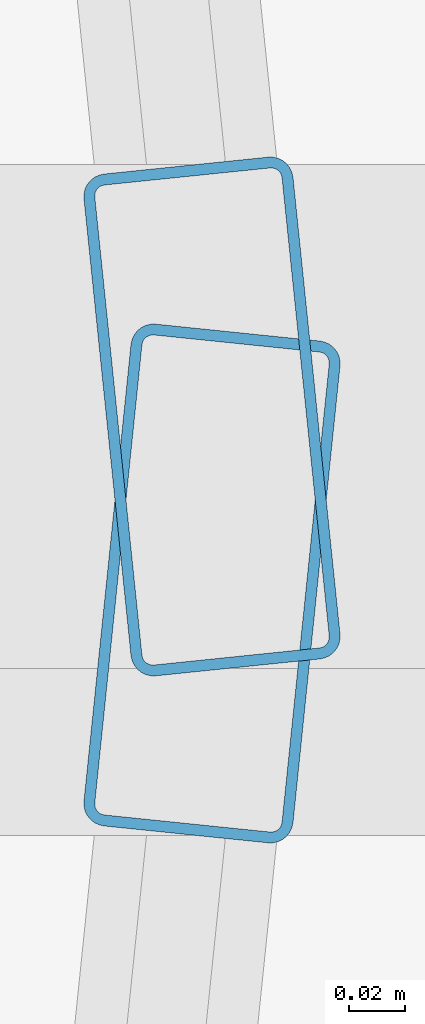
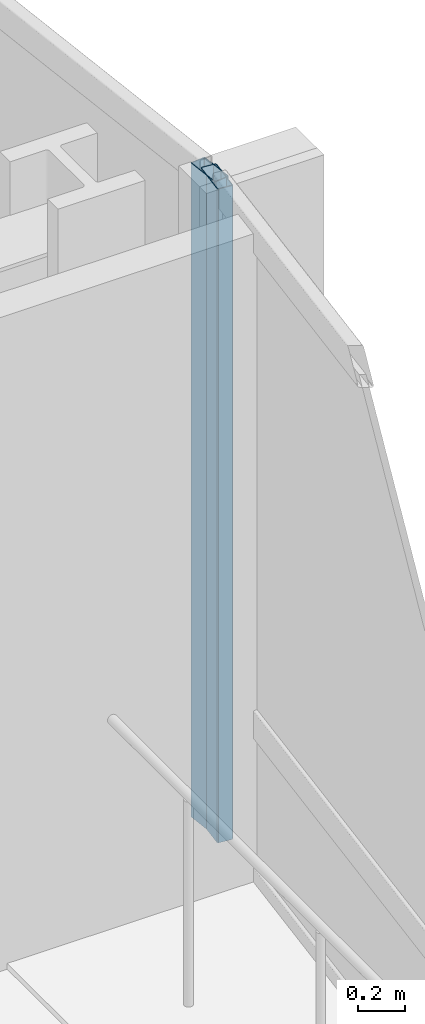
# One storey, part 25 of 34: 2 members, 2 elements without a shape of their own.
"""IFC4 building model written with IfcOpenShell, lengths in metres."""

import ifcopenshell
import ifcopenshell.guid

model = None  # the IFC model being written
_history = None  # IfcOwnerHistory: only IFC2X3 demands one
_inside = {}  # id of a spatial element -> (the spatial element, [elements in it])
_under = {}  # id of a project, library or spatial element -> (it, [spatial elements below it])
_declared = {}  # id of a project -> (the project, [libraries it declares])
_typed = {}  # id of a type object -> (the type object, [elements of that type])
_made_of = {}  # id of a material, layer set ... -> (it, [elements and type objects made of it])


def new_model(schema):
    """Start an empty IFC model of exactly this schema.

    Asked for "IFC4X3", IfcOpenShell would pick the latest addendum, in which some entities
    have other attributes; the version numbers below select the first issue.
    IFC2X3 requires an IfcOwnerHistory on every rooted entity: one is made here for all.
    """
    global model, _history
    if schema == "IFC4X3":
        model = ifcopenshell.file(schema_version=(4, 3, 0, 0))
    else:
        model = ifcopenshell.file(schema=schema)
    _inside.clear()
    _under.clear()
    _declared.clear()
    _typed.clear()
    _made_of.clear()
    _history = None
    if model.schema == "IFC2X3":
        org = make("IfcOrganization", Name="unknown")
        user = make(
            "IfcPersonAndOrganization",
            ThePerson=make("IfcPerson", FamilyName="unknown"),
            TheOrganization=org,
        )
        app = make(
            "IfcApplication",
            ApplicationDeveloper=org,
            Version="unknown",
            ApplicationFullName="unknown",
            ApplicationIdentifier="unknown",
        )
        _history = make(
            "IfcOwnerHistory",
            OwningUser=user,
            OwningApplication=app,
            ChangeAction="ADDED",
            CreationDate=0,
        )
    return model


def make(cls, **values):
    """One entity of the class cls with the attributes given. An attribute that is None is left unset."""
    return model.create_entity(
        cls, **{name: value for name, value in values.items() if value is not None}
    )


def rooted(cls, **values):
    """An entity with a GlobalId (a new one), such as an element, a storey or a relation."""
    return make(cls, GlobalId=ifcopenshell.guid.new(), OwnerHistory=_history, **values)


def si_unit(unit_type, name, prefix=None):
    """IfcSIUnit, for example si_unit("LENGTHUNIT", "METRE", prefix="MILLI")."""
    return make("IfcSIUnit", UnitType=unit_type, Prefix=prefix, Name=name)


def assignment(units):
    """IfcUnitAssignment: the units of a project."""
    return None if units is None else make("IfcUnitAssignment", Units=units)


def point(xyz):
    """IfcCartesianPoint."""
    return None if xyz is None else make("IfcCartesianPoint", Coordinates=xyz)


def direction(xyz):
    """IfcDirection."""
    return None if xyz is None else make("IfcDirection", DirectionRatios=xyz)


def frame(location, z_axis=None, x_axis=None):
    """IfcAxis2Placement3D, a coordinate frame: its origin and axes. An axis left out is left unset."""
    return make(
        "IfcAxis2Placement3D",
        Location=point(location),
        Axis=direction(z_axis),
        RefDirection=direction(x_axis),
    )


def frame_2d(location, x_axis=None):
    """IfcAxis2Placement2D, a coordinate frame in the plane: its origin and x axis."""
    return make(
        "IfcAxis2Placement2D", Location=point(location), RefDirection=direction(x_axis)
    )


def origin():
    """The frame at (0, 0, 0) with its axes left unset."""
    return frame((0.0, 0.0, 0.0))


def origin_2d():
    """The frame at (0, 0) in the plane with its x axis left unset."""
    return frame_2d((0.0, 0.0))


def place(relative_to, where):
    """IfcLocalPlacement: puts the frame where relative to a parent placement (None: the world)."""
    return make(
        "IfcLocalPlacement", PlacementRelTo=relative_to, RelativePlacement=where
    )


def context(
    kind, dimensions, precision=None, world=None, true_north=None, identifier=None
):
    """IfcGeometricRepresentationContext, for example the 3D "Model" context."""
    return make(
        "IfcGeometricRepresentationContext",
        ContextIdentifier=identifier,
        ContextType=kind,
        CoordinateSpaceDimension=dimensions,
        Precision=precision,
        WorldCoordinateSystem=world,
        TrueNorth=true_north,
    )


def subcontext(parent, identifier, kind, view, scale=None):
    """IfcGeometricRepresentationSubContext, for example "Body" below "Model"."""
    return make(
        "IfcGeometricRepresentationSubContext",
        ContextIdentifier=identifier,
        ContextType=kind,
        ParentContext=parent,
        TargetScale=scale,
        TargetView=view,
    )


def project(units=None, contexts=None):
    """IfcProject with its units and contexts."""
    return rooted(
        "IfcProject",
        Name="project",
        RepresentationContexts=contexts,
        UnitsInContext=assignment(units),
    )


def spatial(cls, under=None, at=None, **own):
    """A site, building, storey or space (cls), placed at a placement, below another one or the project."""
    s = rooted(cls, ObjectPlacement=at, **own)
    if under is not None:
        _under.setdefault(under.id(), (under, []))[1].append(s)
    return s


def profile(cls, at=None, kind="AREA", **sizes):
    """A parametric profile (cls). Its sizes go by their IFC names, for example OverallWidth=200.0."""
    return make(cls, ProfileType=kind, Position=at, **sizes)


def hollow_rectangle(**sizes):
    """IfcRectangleHollowProfileDef."""
    return profile("IfcRectangleHollowProfileDef", **sizes)


def extrude(swept, where, along, depth):
    """IfcExtrudedAreaSolid: the profile swept, set in the frame where, extruded along a direction by depth."""
    return make(
        "IfcExtrudedAreaSolid",
        SweptArea=swept,
        Position=where,
        ExtrudedDirection=direction(along),
        Depth=depth,
    )


def shape(context_of_items, identifier, shape_type, items):
    """IfcShapeRepresentation: the items that make up one representation, for example the "Body"."""
    return make(
        "IfcShapeRepresentation",
        ContextOfItems=context_of_items,
        RepresentationIdentifier=identifier,
        RepresentationType=shape_type,
        Items=items,
    )


def material(Name=None, Category=None):
    """IfcMaterial."""
    return make("IfcMaterial", Name=Name, Category=Category)


def layer(
    of_material, thickness, ventilated=None, Name=None, Category=None, Priority=None
):
    """IfcMaterialLayer: one layer of a wall or slab, of a material (None: an air gap)."""
    return make(
        "IfcMaterialLayer",
        Material=of_material,
        LayerThickness=thickness,
        IsVentilated=ventilated,
        Name=Name,
        Category=Category,
        Priority=Priority,
    )


def layer_set(layers, Name=None):
    """IfcMaterialLayerSet."""
    return make("IfcMaterialLayerSet", MaterialLayers=layers, LayerSetName=Name)


def material_profile(
    of_material, cross_section, Name=None, Category=None, Priority=None
):
    """IfcMaterialProfile: a cross section and its material."""
    return make(
        "IfcMaterialProfile",
        Name=Name,
        Material=of_material,
        Profile=cross_section,
        Priority=Priority,
        Category=Category,
    )


def profile_set(profiles, Name=None, composite=None):
    """IfcMaterialProfileSet."""
    return make(
        "IfcMaterialProfileSet",
        Name=Name,
        MaterialProfiles=profiles,
        CompositeProfile=composite,
    )


def made_of(thing, what):
    """Note that an element or type object is made of a material, layer set ...; save() writes the relation."""
    if what is not None:
        _made_of.setdefault(what.id(), (what, []))[1].append(thing)
    return thing


def type_object(cls, material=None, **own):
    """A type object (cls), such as IfcWallType, which elements share."""
    return made_of(rooted(cls, **own), material)


def element(
    cls,
    number,
    at=None,
    inside=None,
    cuts=None,
    type_object=None,
    material=None,
    context=None,
    identifier="Body",
    shape_type=None,
    held_by="IfcProductDefinitionShape",
    body=None,
    shapes=None,
    **own,
):
    """One element of the class cls, such as IfcWall. Its Tag is "e" and its number.

    at: its placement. inside: the storey or other place that contains it. cuts: it is an
    opening in that element (IfcRelVoidsElement). A single representation is given by context,
    identifier, shape_type and body (its items); several are given by shapes. held_by: the class
    of the entity that holds the representations. save() writes the other relations.
    """
    e = rooted(cls, Tag="e%d" % number, ObjectPlacement=at, **own)
    if body is not None:
        shapes = [shape(context, identifier, shape_type, body)]
    if shapes is not None:
        e.Representation = make(held_by, Representations=shapes)
    if inside is not None:
        _inside.setdefault(inside.id(), (inside, []))[1].append(e)
    if cuts is not None:
        rooted(
            "IfcRelVoidsElement", RelatingBuildingElement=cuts, RelatedOpeningElement=e
        )
    if type_object is not None:
        _typed.setdefault(type_object.id(), (type_object, []))[1].append(e)
    return made_of(e, material)


def aggregate(whole, parts):
    """IfcRelAggregates: a whole, such as a stair, and the parts it consists of."""
    return rooted("IfcRelAggregates", RelatingObject=whole, RelatedObjects=parts)


def save(model, path):
    """Write the relations noted so far, then the file.

    IfcRelAggregates (storeys below a building ...), IfcRelContainedInSpatialStructure (elements
    in a storey), IfcRelDefinesByType, IfcRelAssociatesMaterial and IfcRelDeclares: one each for
    every whole, place, type object, material and project.
    """
    for whole, parts in _under.values():
        aggregate(whole, parts)
    for where, things in _inside.values():
        rooted(
            "IfcRelContainedInSpatialStructure",
            RelatedElements=things,
            RelatingStructure=where,
        )
    for kind, things in _typed.values():
        rooted("IfcRelDefinesByType", RelatedObjects=things, RelatingType=kind)
    for what, things in _made_of.values():
        rooted("IfcRelAssociatesMaterial", RelatedObjects=things, RelatingMaterial=what)
    for by, libraries in _declared.values():
        rooted("IfcRelDeclares", RelatingContext=by, RelatedDefinitions=libraries)
    model.write(path)


model = new_model("IFC4")

# Units and contexts
model_context = context("Model", 3, precision=1e-05, world=origin(), true_north=direction((0.0, 1.0)))
body_context = subcontext(model_context, "Body", "Model", "MODEL_VIEW")
ifc_project = project(units=[si_unit("LENGTHUNIT", "METRE"), si_unit("AREAUNIT", "SQUARE_METRE"), si_unit("VOLUMEUNIT", "CUBIC_METRE"), si_unit("PLANEANGLEUNIT", "RADIAN"), si_unit("MASSUNIT", "GRAM", prefix="KILO")], contexts=[model_context])

# Site, building, storey
site_placement = place(None, origin())
site = spatial("IfcSite", under=ifc_project, at=site_placement, CompositionType="ELEMENT")
building_placement = place(site_placement, origin())
building = spatial("IfcBuilding", under=site, at=building_placement, Name="Solvaryn Broadcast Tower", CompositionType="ELEMENT")
storey_placement = place(building_placement, frame((0.0, 0.0, 54.5)))
storey = spatial("IfcBuildingStorey", under=building, at=storey_placement, Name="L12", CompositionType="ELEMENT", Elevation=54.5)

# Curtain wall, member
ifc_material_1 = material(Name="Aluminium and Terracotta Unitised Curtain Wall", Category="masonry")
ifc_layer = layer(ifc_material_1, 0.199951171875)
ifc_layer_set = layer_set([ifc_layer], Name="CW-SYS2-LOWMID")
curtain_wall_type = type_object("IfcCurtainWallType", Name="CW-SYS2-LOWMID", PredefinedType="NOTDEFINED", material=ifc_layer_set)
curtain_wall_1_placement = place(storey_placement, origin())
curtain_wall_1 = element("IfcCurtainWall", 1, at=curtain_wall_1_placement, inside=storey, type_object=curtain_wall_type, Name="L12 Curtain Wall ET1", PredefinedType="NOTDEFINED")
ifc_material_2 = material(Name="Anodised Aluminium 6063-T6", Category="aluminium")
ifc_material_profile = material_profile(ifc_material_2, hollow_rectangle(XDim=0.074951171875, YDim=0.179931640625, WallThickness=0.00390625, InnerFilletRadius=0.00390625, OuterFilletRadius=0.008056640625, at=origin_2d()))
ifc_profile_set = profile_set([ifc_material_profile], Name="Anodised Aluminium 6063-T6")
member_type = type_object("IfcMemberType", Name="CW-MUL-180", PredefinedType="MULLION", material=ifc_profile_set)
member_1_placement = place(storey_placement, frame((63.697021484375, 18.02978515625, 0.0), z_axis=(0.0, 0.0, 1.0), x_axis=(0.99474329889, 0.10240004548, 0.0)))
member_1 = element("IfcMember", 2, at=member_1_placement, type_object=member_type, Name="CWS2 mullion 2", PredefinedType="MULLION", context=body_context, shape_type="SweptSolid", body=[
    extrude(hollow_rectangle(XDim=0.074951171875, YDim=0.179931640625, WallThickness=0.00390625, InnerFilletRadius=0.00390625, OuterFilletRadius=0.008056640625, at=origin_2d()), origin(), (0.0, 0.0, 1.0), 3.419921875),
])
aggregate(curtain_wall_1, [member_1])

curtain_wall_2_placement = place(storey_placement, origin())
curtain_wall_2 = element("IfcCurtainWall", 3, at=curtain_wall_2_placement, inside=storey, type_object=curtain_wall_type, Name="L12 Curtain Wall ET2", PredefinedType="NOTDEFINED")
member_2_placement = place(storey_placement, frame((63.697021484375, 17.97021484375, 0.0), z_axis=(0.0, 0.0, 1.0), x_axis=(0.99474329889, -0.10240004548, 0.0)))
member_2 = element("IfcMember", 4, at=member_2_placement, type_object=member_type, Name="CWS2 mullion 1", PredefinedType="MULLION", context=body_context, shape_type="SweptSolid", body=[
    extrude(hollow_rectangle(XDim=0.074951171875, YDim=0.179931640625, WallThickness=0.00390625, InnerFilletRadius=0.00390625, OuterFilletRadius=0.008056640625, at=origin_2d()), origin(), (0.0, 0.0, 1.0), 3.419921875),
])
aggregate(curtain_wall_2, [member_2])

save(model, "model.ifc")
